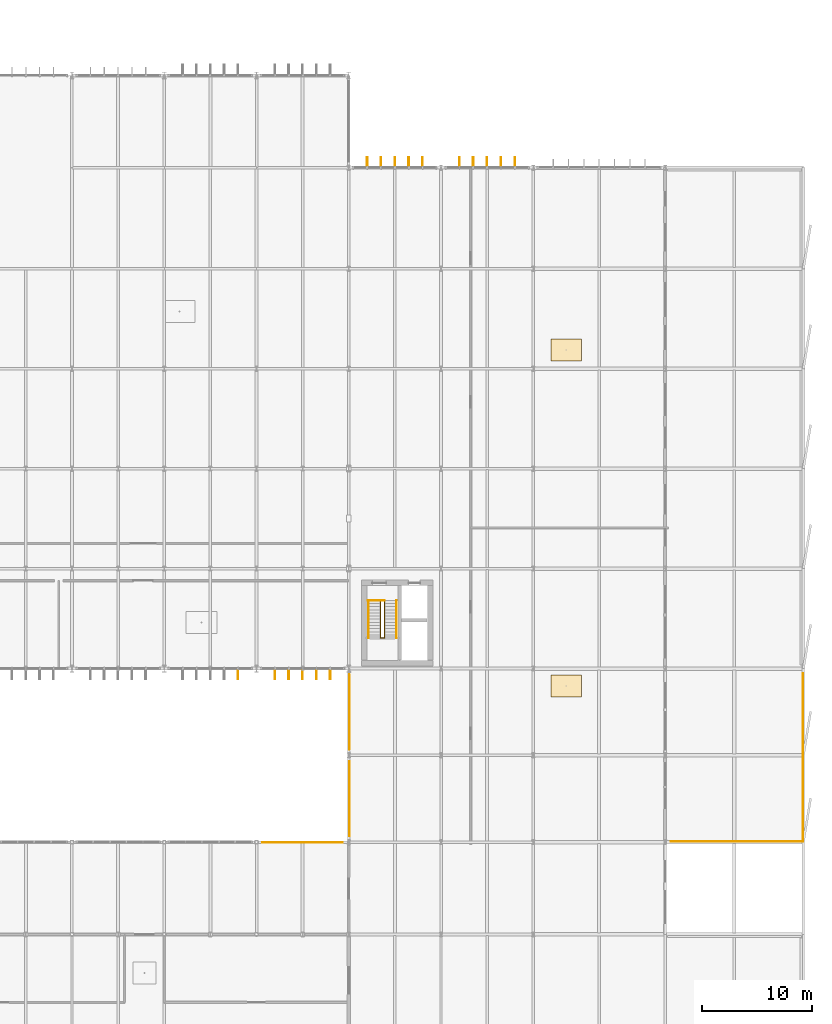
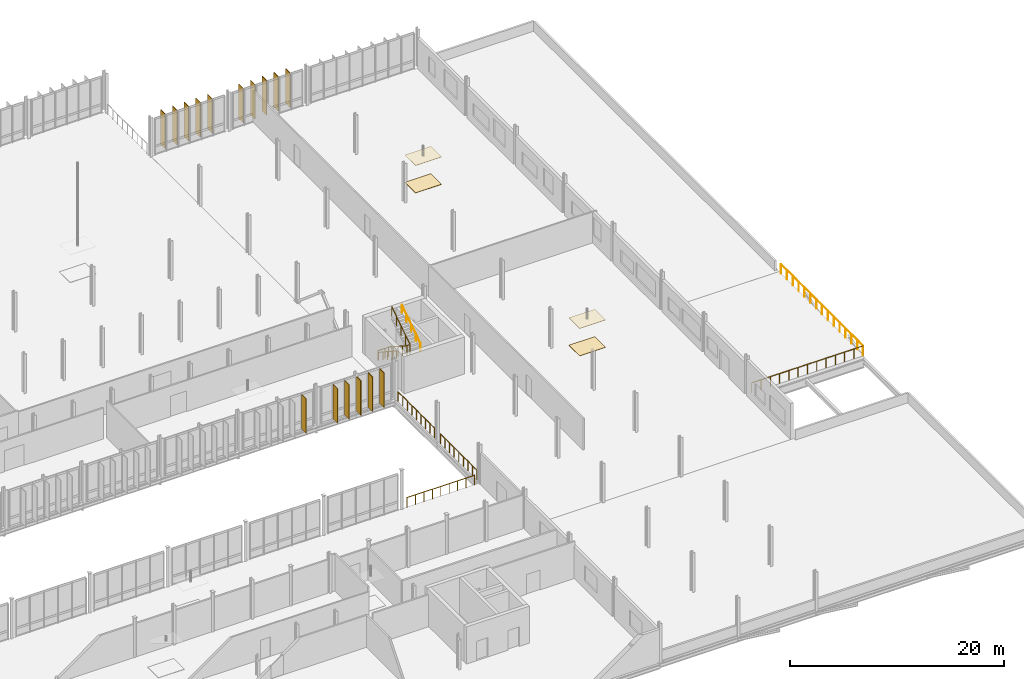
# One storey, part 138 of 139: 29 railings, 16 shading devices, 4 coverings.
"""IFC4 building model written with IfcOpenShell, lengths in metres."""

from ifc_helpers import new_model, si_unit, derived_unit, direction, frame, origin, origin_2d, place, context, subcontext, project, spatial, polyline, rectangle, circle, outline, extrude, material, layer, layer_set, type_object, element, save


model = new_model("IFC4")

# Units and contexts
model_context = context("Model", 3, precision=1e-05, world=origin(), true_north=direction((0.0, 1.0)))
body_context = subcontext(model_context, "Body", "Model", "MODEL_VIEW")
ifc_project = project(units=[si_unit("LENGTHUNIT", "METRE"), si_unit("AREAUNIT", "SQUARE_METRE"), si_unit("VOLUMEUNIT", "CUBIC_METRE"), si_unit("PLANEANGLEUNIT", "RADIAN"), si_unit("MASSUNIT", "GRAM", prefix="KILO"), derived_unit("THERMALTRANSMITTANCEUNIT", [(si_unit("MASSUNIT", "GRAM", prefix="KILO"), 1), (si_unit("TIMEUNIT", "SECOND"), -3), (si_unit("THERMODYNAMICTEMPERATUREUNIT", "KELVIN"), -1)])], contexts=[model_context])

# Site, building, storey
site_placement = place(None, origin())
site = spatial("IfcSite", under=ifc_project, at=site_placement, CompositionType="ELEMENT")
building_placement = place(site_placement, origin())
building = spatial("IfcBuilding", under=site, at=building_placement, Name="Makaiwela Harbour Ferry Terminal", CompositionType="ELEMENT")
storey_placement = place(building_placement, frame((0.0, 0.0, 5.10009765625)))
storey = spatial("IfcBuildingStorey", under=building, at=storey_placement, Name="L01", CompositionType="ELEMENT", Elevation=5.10009765625)

# Shading devices
ifc_material_1 = material(Name="Thermally modified Accoya timber and anodised aluminium", Category="wood")
ifc_layer_1 = layer(ifc_material_1, 0.06005859375)
ifc_layer_set_1 = layer_set([ifc_layer_1], Name="Thermally modified Accoya timber and anodised aluminium")
shading_device_type = type_object("IfcShadingDeviceType", Name="ENV-FIN-850", PredefinedType="USERDEFINED", material=ifc_layer_set_1)
for number, where, z_axis, x_axis, name in (
    (1, (128.52001953125, 48.862060546875, 0.161865234375), (0.0, 0.0, 1.0), (0.0, -1.0, 0.0), "Vertical Solar Fin SFN-0298"),
    (2, (136.919921875, 48.862060546875, 0.161865234375), (0.0, 0.0, 1.0), (0.0, -1.0, 0.0), "Vertical Solar Fin SFN-0313"),
    (3, (135.659912109375, 48.862060546875, 0.161865234375), (0.0, 0.0, 1.0), (0.0, -1.0, 0.0), "Vertical Solar Fin SFN-0314"),
    (4, (134.39990234375, 48.862060546875, 0.161865234375), (0.0, 0.0, 1.0), (0.0, -1.0, 0.0), "Vertical Solar Fin SFN-0315"),
    (5, (133.139892578125, 48.862060546875, 0.161865234375), (0.0, 0.0, 1.0), (0.0, -1.0, 0.0), "Vertical Solar Fin SFN-0316"),
    (6, (131.8798828125, 48.862060546875, 0.161865234375), (0.0, 0.0, 1.0), (0.0, -1.0, 0.0), "Vertical Solar Fin SFN-0317"),
    (7, (140.280029296875, 95.5380859375, 0.161865234375), (0.0, 0.0, 1.0), (0.0, 1.0, 0.0), "Vertical Solar Fin SFN-0443"),
    (8, (141.5400390625, 95.5380859375, 0.161865234375), (0.0, 0.0, 1.0), (0.0, 1.0, 0.0), "Vertical Solar Fin SFN-0444"),
    (9, (142.800048828125, 95.5380859375, 0.161865234375), (0.0, 0.0, 1.0), (0.0, 1.0, 0.0), "Vertical Solar Fin SFN-0445"),
    (10, (144.06005859375, 95.5380859375, 0.161865234375), (0.0, 0.0, 1.0), (0.0, 1.0, 0.0), "Vertical Solar Fin SFN-0446"),
    (11, (145.320068359375, 95.5380859375, 0.161865234375), (0.0, 0.0, 1.0), (0.0, 1.0, 0.0), "Vertical Solar Fin SFN-0447"),
    (12, (148.679931640625, 95.5380859375, 0.161865234375), (0.0, 0.0, 1.0), (0.0, 1.0, 0.0), "Vertical Solar Fin SFN-0463"),
    (13, (149.93994140625, 95.5380859375, 0.161865234375), (0.0, 0.0, 1.0), (0.0, 1.0, 0.0), "Vertical Solar Fin SFN-0464"),
    (14, (151.199951171875, 95.5380859375, 0.161865234375), (0.0, 0.0, 1.0), (0.0, 1.0, 0.0), "Vertical Solar Fin SFN-0465"),
    (15, (152.4599609375, 95.5380859375, 0.161865234375), (0.0, 0.0, 1.0), (0.0, 1.0, 0.0), "Vertical Solar Fin SFN-0466"),
    (16, (153.719970703125, 95.5380859375, 0.161865234375), (0.0, 0.0, 1.0), (0.0, 1.0, 0.0), "Vertical Solar Fin SFN-0467"),
):
    element("IfcShadingDevice", number, at=place(storey_placement, frame(where, z_axis=z_axis, x_axis=x_axis)), inside=storey, type_object=shading_device_type, Name=name, ObjectType="SOLAR FIN", PredefinedType="USERDEFINED", context=body_context, shape_type="SweptSolid", body=[
        extrude(rectangle(XDim=0.85009765625, YDim=0.06005859375, at=origin_2d()), origin(), (0.0, 0.0, 1.0), 3.93994140625),
    ])

# Coverings
ifc_material_2 = material(Name="Thermally modified Accoya timber acoustic slat ceiling", Category="wood")
ifc_layer_2 = layer(ifc_material_2, 0.0400390625)
ifc_layer_set_2 = layer_set([ifc_layer_2], Name="Thermally modified Accoya timber acoustic slat ceiling")
covering_type_1 = type_object("IfcCoveringType", Name="INT-COV-CEIL", PredefinedType="CEILING", material=ifc_layer_set_2)
covering_1_placement = place(storey_placement, frame((0.0, 0.0, 3.099853515625)))
element("IfcCovering", 17, at=covering_1_placement, inside=storey, type_object=covering_type_1, Name="Acoustic Timber Ceiling CLG-045", PredefinedType="CEILING", context=body_context, shape_type="SweptSolid", body=[
    extrude(outline(polyline([(157.0, 46.800048828125), (159.800048828125, 46.800048828125), (159.800048828125, 48.800048828125), (157.0, 48.800048828125), (157.0, 46.800048828125)])), origin(), (0.0, 0.0, 1.0), 0.0400390625),
])
covering_2_placement = place(storey_placement, frame((0.0, 0.0, 3.099853515625)))
element("IfcCovering", 18, at=covering_2_placement, inside=storey, type_object=covering_type_1, Name="Acoustic Timber Ceiling CLG-046", PredefinedType="CEILING", context=body_context, shape_type="SweptSolid", body=[
    extrude(outline(polyline([(157.0, 77.39990234375), (159.800048828125, 77.39990234375), (159.800048828125, 79.39990234375), (157.0, 79.39990234375), (157.0, 77.39990234375)])), origin(), (0.0, 0.0, 1.0), 0.0400390625),
])
ifc_material_3 = material(Name="Honed coral-aggregate epoxy terrazzo flooring", Category="concrete")
ifc_layer_3 = layer(ifc_material_3, 0.02490234375)
ifc_layer_set_3 = layer_set([ifc_layer_3], Name="Honed coral-aggregate epoxy terrazzo flooring")
covering_type_2 = type_object("IfcCoveringType", Name="INT-COV-FLR", PredefinedType="FLOORING", material=ifc_layer_set_3)
covering_3_placement = place(storey_placement, origin())
element("IfcCovering", 19, at=covering_3_placement, inside=storey, type_object=covering_type_2, Name="Terrazzo Flooring FLG-045", PredefinedType="FLOORING", context=body_context, shape_type="SweptSolid", body=[
    extrude(outline(polyline([(157.0, 46.800048828125), (159.800048828125, 46.800048828125), (159.800048828125, 48.800048828125), (157.0, 48.800048828125), (157.0, 46.800048828125)])), origin(), (0.0, 0.0, 1.0), 0.02490234375),
])
covering_4_placement = place(storey_placement, origin())
element("IfcCovering", 20, at=covering_4_placement, inside=storey, type_object=covering_type_2, Name="Terrazzo Flooring FLG-046", PredefinedType="FLOORING", context=body_context, shape_type="SweptSolid", body=[
    extrude(outline(polyline([(157.0, 77.39990234375), (159.800048828125, 77.39990234375), (159.800048828125, 79.39990234375), (157.0, 79.39990234375), (157.0, 77.39990234375)])), origin(), (0.0, 0.0, 1.0), 0.02490234375),
])

# Railings
ifc_material_4 = material(Name="Marine grade 316L brushed stainless steel", Category="steel")
railing_type_1 = type_object("IfcRailingType", Name="INT-RL-GRD110", PredefinedType="GUARDRAIL", material=ifc_material_4)
railing_1_placement = place(storey_placement, frame((140.3701171875, 55.60009765625, 0.0)))
element("IfcRailing", 21, at=railing_1_placement, inside=storey, type_object=railing_type_1, Name="Stair top well guardrail RL-0074", PredefinedType="GUARDRAIL", context=body_context, shape_type="SweptSolid", body=[
    extrude(circle(Radius=0.02392578125, at=origin_2d()), frame((0.0, 0.0, 1.09619140625), z_axis=(1.0, 0.0, 0.0), x_axis=(0.0, 1.0, 0.0)), (0.0, 0.0, 1.0), 1.47998046875),
    extrude(circle(Radius=0.02099609375, at=origin_2d()), origin(), (0.0, 0.0, 1.0), 1.072021484375),
    extrude(circle(Radius=0.02099609375, at=origin_2d()), frame((0.739990234375, 0.0, 0.0)), (0.0, 0.0, 1.0), 1.072021484375),
    extrude(circle(Radius=0.02099609375, at=origin_2d()), frame((1.47998046875, 0.0, 0.0)), (0.0, 0.0, 1.0), 1.072021484375),
])
railing_2_placement = place(storey_placement, frame((141.510009765625, 55.60009765625, 0.0)))
element("IfcRailing", 22, at=railing_2_placement, inside=storey, type_object=railing_type_1, Name="Stair well guardrail RL-0077", PredefinedType="GUARDRAIL", context=body_context, shape_type="SweptSolid", body=[
    extrude(circle(Radius=0.02392578125, at=origin_2d()), frame((0.0, 0.0, 1.09619140625), z_axis=(0.0, -0.835429331894, 0.549597881557), x_axis=(1.0, 0.0, 0.0)), (0.0, 0.0, 1.0), 4.093994140625),
    extrude(circle(Radius=0.02392578125, at=origin_2d()), frame((0.0, -3.420166015625, 3.34619140625), z_axis=(1.0, 0.0, 0.0), x_axis=(0.0, 1.0, 0.0)), (0.0, 0.0, 1.0), 0.340087890625),
    extrude(circle(Radius=0.02392578125, at=origin_2d()), frame((0.340087890625, -3.420166015625, 3.34619140625), z_axis=(0.0, 0.835429331894, 0.549597881557), x_axis=(-1.0, 0.0, 0.0)), (0.0, 0.0, 1.0), 4.093994140625),
    extrude(circle(Radius=0.02099609375, at=origin_2d()), origin(), (0.0, 0.0, 1.0), 1.072021484375),
    extrude(circle(Radius=0.02099609375, at=origin_2d()), frame((0.0, -0.85498046875, 0.5625)), (0.0, 0.0, 1.0), 1.072021484375),
    extrude(circle(Radius=0.02099609375, at=origin_2d()), frame((0.0, -1.7099609375, 1.125)), (0.0, 0.0, 1.0), 1.072021484375),
    extrude(circle(Radius=0.02099609375, at=origin_2d()), frame((0.0, -2.565185546875, 1.6875)), (0.0, 0.0, 1.0), 1.072021484375),
    extrude(circle(Radius=0.02099609375, at=origin_2d()), frame((0.0, -3.420166015625, 2.25)), (0.0, 0.0, 1.0), 1.072021484375),
    extrude(circle(Radius=0.02099609375, at=origin_2d()), frame((0.340087890625, -3.420166015625, 2.25)), (0.0, 0.0, 1.0), 1.072021484375),
    extrude(circle(Radius=0.02099609375, at=origin_2d()), frame((0.340087890625, -2.565185546875, 2.8125)), (0.0, 0.0, 1.0), 1.072021484375),
    extrude(circle(Radius=0.02099609375, at=origin_2d()), frame((0.340087890625, -1.7099609375, 3.375)), (0.0, 0.0, 1.0), 1.072021484375),
    extrude(circle(Radius=0.02099609375, at=origin_2d()), frame((0.340087890625, -0.85498046875, 3.9375)), (0.0, 0.0, 1.0), 1.072021484375),
    extrude(circle(Radius=0.02099609375, at=origin_2d()), frame((0.340087890625, 0.0, 4.5)), (0.0, 0.0, 1.0), 1.072021484375),
])
railing_3_placement = place(storey_placement, frame((179.955078125, 48.951904296875, 0.0)))
element("IfcRailing", 23, at=railing_3_placement, inside=storey, type_object=railing_type_1, Name="Deck edge guardrail RL-0325", PredefinedType="GUARDRAIL", context=body_context, shape_type="SweptSolid", body=[
    extrude(circle(Radius=0.02392578125, at=origin_2d()), frame((0.0, 0.0, 1.09619140625), z_axis=(0.0, -1.0, 0.0), x_axis=(1.0, 0.0, 0.0)), (0.0, 0.0, 1.0), 2.1865234375),
    extrude(circle(Radius=0.02099609375, at=origin_2d()), origin(), (0.0, 0.0, 1.0), 1.072021484375),
    extrude(circle(Radius=0.02099609375, at=origin_2d()), frame((0.0, -1.09326171875, 0.0)), (0.0, 0.0, 1.0), 1.072021484375),
    extrude(circle(Radius=0.02099609375, at=origin_2d()), frame((0.0, -2.1865234375, 0.0)), (0.0, 0.0, 1.0), 1.072021484375),
])
for number, where, name in (
    (24, (179.955078125, 46.765380859375, 0.0), "Deck edge guardrail RL-0326"),
    (25, (179.955078125, 44.57861328125, 0.0), "Deck edge guardrail RL-0327"),
    (26, (179.955078125, 42.391845703125, 0.0), "Deck edge guardrail RL-0328"),
    (27, (179.955078125, 40.205078125, 0.0), "Deck edge guardrail RL-0329"),
):
    element("IfcRailing", number, at=place(storey_placement, frame(where)), inside=storey, type_object=railing_type_1, Name=name, PredefinedType="GUARDRAIL", context=body_context, shape_type="SweptSolid", body=[
        extrude(circle(Radius=0.02392578125, at=origin_2d()), frame((0.0, 0.0, 1.09619140625), z_axis=(0.0, -1.0, 0.0), x_axis=(1.0, 0.0, 0.0)), (0.0, 0.0, 1.0), 2.186767578125),
        extrude(circle(Radius=0.02099609375, at=origin_2d()), origin(), (0.0, 0.0, 1.0), 1.072021484375),
        extrude(circle(Radius=0.02099609375, at=origin_2d()), frame((0.0, -1.09326171875, 0.0)), (0.0, 0.0, 1.0), 1.072021484375),
        extrude(circle(Radius=0.02099609375, at=origin_2d()), frame((0.0, -2.186767578125, 0.0)), (0.0, 0.0, 1.0), 1.072021484375),
    ])
railing_4_placement = place(storey_placement, frame((179.955078125, 38.018310546875, 0.0)))
element("IfcRailing", 28, at=railing_4_placement, inside=storey, type_object=railing_type_1, Name="Deck edge guardrail RL-0330", PredefinedType="GUARDRAIL", context=body_context, shape_type="SweptSolid", body=[
    extrude(circle(Radius=0.02392578125, at=origin_2d()), frame((0.0, 0.0, 1.09619140625), z_axis=(0.0, -1.0, 0.0), x_axis=(1.0, 0.0, 0.0)), (0.0, 0.0, 1.0), 2.1865234375),
    extrude(circle(Radius=0.02099609375, at=origin_2d()), origin(), (0.0, 0.0, 1.0), 1.072021484375),
    extrude(circle(Radius=0.02099609375, at=origin_2d()), frame((0.0, -1.09326171875, 0.0)), (0.0, 0.0, 1.0), 1.072021484375),
    extrude(circle(Radius=0.02099609375, at=origin_2d()), frame((0.0, -2.1865234375, 0.0)), (0.0, 0.0, 1.0), 1.072021484375),
])
railing_5_placement = place(storey_placement, frame((179.955078125, 35.831787109375, 0.0)))
element("IfcRailing", 29, at=railing_5_placement, inside=storey, type_object=railing_type_1, Name="Deck edge guardrail RL-0331", PredefinedType="GUARDRAIL", context=body_context, shape_type="SweptSolid", body=[
    extrude(circle(Radius=0.02392578125, at=origin_2d()), frame((0.0, 0.0, 1.09619140625), z_axis=(0.0, -1.0, 0.0), x_axis=(1.0, 0.0, 0.0)), (0.0, 0.0, 1.0), 2.186767578125),
    extrude(circle(Radius=0.02099609375, at=origin_2d()), origin(), (0.0, 0.0, 1.0), 1.072021484375),
    extrude(circle(Radius=0.02099609375, at=origin_2d()), frame((0.0, -1.09326171875, 0.0)), (0.0, 0.0, 1.0), 1.072021484375),
    extrude(circle(Radius=0.02099609375, at=origin_2d()), frame((0.0, -2.186767578125, 0.0)), (0.0, 0.0, 1.0), 1.072021484375),
])
for number, where, name in (
    (30, (179.955078125, 33.64501953125, 0.0), "Deck edge guardrail RL-0332"),
    (31, (177.953857421875, 33.64501953125, 0.0), "Deck edge guardrail RL-0333"),
    (32, (175.95263671875, 33.64501953125, 0.0), "Deck edge guardrail RL-0334"),
    (33, (173.951416015625, 33.64501953125, 0.0), "Deck edge guardrail RL-0335"),
    (34, (171.9501953125, 33.64501953125, 0.0), "Deck edge guardrail RL-0336"),
    (35, (169.948974609375, 33.64501953125, 0.0), "Deck edge guardrail RL-0337"),
):
    element("IfcRailing", number, at=place(storey_placement, frame(where)), inside=storey, type_object=railing_type_1, Name=name, PredefinedType="GUARDRAIL", context=body_context, shape_type="SweptSolid", body=[
        extrude(circle(Radius=0.02392578125, at=origin_2d()), frame((0.0, 0.0, 1.09619140625), z_axis=(-1.0, 0.0, 0.0), x_axis=(0.0, -1.0, 0.0)), (0.0, 0.0, 1.0), 2.001220703125),
        extrude(circle(Radius=0.02099609375, at=origin_2d()), origin(), (0.0, 0.0, 1.0), 1.072021484375),
        extrude(circle(Radius=0.02099609375, at=origin_2d()), frame((-1.00048828125, 0.0, 0.0)), (0.0, 0.0, 1.0), 1.072021484375),
        extrude(circle(Radius=0.02099609375, at=origin_2d()), frame((-2.001220703125, 0.0, 0.0)), (0.0, 0.0, 1.0), 1.072021484375),
    ])
railing_6_placement = place(storey_placement, frame((130.747802734375, 33.554931640625, 0.0)))
element("IfcRailing", 36, at=railing_6_placement, inside=storey, type_object=railing_type_1, Name="Deck edge guardrail RL-0386", PredefinedType="GUARDRAIL", context=body_context, shape_type="SweptSolid", body=[
    extrude(circle(Radius=0.02392578125, at=origin_2d()), frame((0.0, 0.0, 1.09619140625), z_axis=(1.0, 0.0, 0.0), x_axis=(0.0, 1.0, 0.0)), (0.0, 0.0, 1.0), 1.826171875),
    extrude(circle(Radius=0.02099609375, at=origin_2d()), origin(), (0.0, 0.0, 1.0), 1.072021484375),
    extrude(circle(Radius=0.02099609375, at=origin_2d()), frame((0.9130859375, 0.0, 0.0)), (0.0, 0.0, 1.0), 1.072021484375),
    extrude(circle(Radius=0.02099609375, at=origin_2d()), frame((1.826171875, 0.0, 0.0)), (0.0, 0.0, 1.0), 1.072021484375),
])
railing_7_placement = place(storey_placement, frame((132.573974609375, 33.554931640625, 0.0)))
element("IfcRailing", 37, at=railing_7_placement, inside=storey, type_object=railing_type_1, Name="Deck edge guardrail RL-0387", PredefinedType="GUARDRAIL", context=body_context, shape_type="SweptSolid", body=[
    extrude(circle(Radius=0.02392578125, at=origin_2d()), frame((0.0, 0.0, 1.09619140625), z_axis=(1.0, 0.0, 0.0), x_axis=(0.0, 1.0, 0.0)), (0.0, 0.0, 1.0), 1.825927734375),
    extrude(circle(Radius=0.02099609375, at=origin_2d()), origin(), (0.0, 0.0, 1.0), 1.072021484375),
    extrude(circle(Radius=0.02099609375, at=origin_2d()), frame((0.9130859375, 0.0, 0.0)), (0.0, 0.0, 1.0), 1.072021484375),
    extrude(circle(Radius=0.02099609375, at=origin_2d()), frame((1.825927734375, 0.0, 0.0)), (0.0, 0.0, 1.0), 1.072021484375),
])
for number, where, name in (
    (38, (134.39990234375, 33.554931640625, 0.0), "Deck edge guardrail RL-0388"),
    (39, (136.22607421875, 33.554931640625, 0.0), "Deck edge guardrail RL-0389"),
):
    element("IfcRailing", number, at=place(storey_placement, frame(where)), inside=storey, type_object=railing_type_1, Name=name, PredefinedType="GUARDRAIL", context=body_context, shape_type="SweptSolid", body=[
        extrude(circle(Radius=0.02392578125, at=origin_2d()), frame((0.0, 0.0, 1.09619140625), z_axis=(1.0, 0.0, 0.0), x_axis=(0.0, 1.0, 0.0)), (0.0, 0.0, 1.0), 1.826171875),
        extrude(circle(Radius=0.02099609375, at=origin_2d()), origin(), (0.0, 0.0, 1.0), 1.072021484375),
        extrude(circle(Radius=0.02099609375, at=origin_2d()), frame((0.9130859375, 0.0, 0.0)), (0.0, 0.0, 1.0), 1.072021484375),
        extrude(circle(Radius=0.02099609375, at=origin_2d()), frame((1.826171875, 0.0, 0.0)), (0.0, 0.0, 1.0), 1.072021484375),
    ])
railing_8_placement = place(storey_placement, frame((138.646240234375, 34.147705078125, 0.0)))
element("IfcRailing", 40, at=railing_8_placement, inside=storey, type_object=railing_type_1, Name="Deck edge guardrail RL-0390", PredefinedType="GUARDRAIL", context=body_context, shape_type="SweptSolid", body=[
    extrude(circle(Radius=0.02392578125, at=origin_2d()), frame((0.0, 0.0, 1.09619140625), z_axis=(-0.000143513202, 0.999999989702, 0.0), x_axis=(-0.999999989702, -0.000143513202, 0.0)), (0.0, 0.0, 1.0), 1.701171875),
    extrude(circle(Radius=0.02099609375, at=origin_2d()), origin(), (0.0, 0.0, 1.0), 1.072021484375),
    extrude(circle(Radius=0.02099609375, at=origin_2d()), frame((0.0, 0.8505859375, 0.0)), (0.0, 0.0, 1.0), 1.072021484375),
    extrude(circle(Radius=0.02099609375, at=origin_2d()), frame((-0.000244140625, 1.701171875, 0.0)), (0.0, 0.0, 1.0), 1.072021484375),
])
railing_9_placement = place(storey_placement, frame((138.64599609375, 35.848876953125, 0.0)))
element("IfcRailing", 41, at=railing_9_placement, inside=storey, type_object=railing_type_1, Name="Deck edge guardrail RL-0391", PredefinedType="GUARDRAIL", context=body_context, shape_type="SweptSolid", body=[
    extrude(circle(Radius=0.02392578125, at=origin_2d()), frame((0.0, 0.0, 1.09619140625), z_axis=(0.0, 1.0, 0.0), x_axis=(-1.0, 0.0, 0.0)), (0.0, 0.0, 1.0), 1.701171875),
    extrude(circle(Radius=0.02099609375, at=origin_2d()), origin(), (0.0, 0.0, 1.0), 1.072021484375),
    extrude(circle(Radius=0.02099609375, at=origin_2d()), frame((0.0, 0.8505859375, 0.0)), (0.0, 0.0, 1.0), 1.072021484375),
    extrude(circle(Radius=0.02099609375, at=origin_2d()), frame((0.0, 1.701171875, 0.0)), (0.0, 0.0, 1.0), 1.072021484375),
])
railing_10_placement = place(storey_placement, frame((138.64599609375, 37.550048828125, 0.0)))
element("IfcRailing", 42, at=railing_10_placement, inside=storey, type_object=railing_type_1, Name="Deck edge guardrail RL-0392", PredefinedType="GUARDRAIL", context=body_context, shape_type="SweptSolid", body=[
    extrude(circle(Radius=0.02392578125, at=origin_2d()), frame((0.0, 0.0, 1.09619140625), z_axis=(-0.000143513202, 0.999999989702, 0.0), x_axis=(-0.999999989702, -0.000143513202, 0.0)), (0.0, 0.0, 1.0), 1.701171875),
    extrude(circle(Radius=0.02099609375, at=origin_2d()), origin(), (0.0, 0.0, 1.0), 1.072021484375),
    extrude(circle(Radius=0.02099609375, at=origin_2d()), frame((0.0, 0.8505859375, 0.0)), (0.0, 0.0, 1.0), 1.072021484375),
    extrude(circle(Radius=0.02099609375, at=origin_2d()), frame((-0.000244140625, 1.701171875, 0.0)), (0.0, 0.0, 1.0), 1.072021484375),
])
for number, where, name in (
    (43, (138.645751953125, 39.251220703125, 0.0), "Deck edge guardrail RL-0393"),
    (44, (138.6455078125, 42.0478515625, 0.0), "Deck edge guardrail RL-0394"),
):
    element("IfcRailing", number, at=place(storey_placement, frame(where)), inside=storey, type_object=railing_type_1, Name=name, PredefinedType="GUARDRAIL", context=body_context, shape_type="SweptSolid", body=[
        extrude(circle(Radius=0.02392578125, at=origin_2d()), frame((0.0, 0.0, 1.09619140625), z_axis=(0.0, 1.0, 0.0), x_axis=(-1.0, 0.0, 0.0)), (0.0, 0.0, 1.0), 1.700927734375),
        extrude(circle(Radius=0.02099609375, at=origin_2d()), origin(), (0.0, 0.0, 1.0), 1.072021484375),
        extrude(circle(Radius=0.02099609375, at=origin_2d()), frame((0.0, 0.8505859375, 0.0)), (0.0, 0.0, 1.0), 1.072021484375),
        extrude(circle(Radius=0.02099609375, at=origin_2d()), frame((0.0, 1.700927734375, 0.0)), (0.0, 0.0, 1.0), 1.072021484375),
    ])
railing_11_placement = place(storey_placement, frame((138.6455078125, 43.748779296875, 0.0)))
element("IfcRailing", 45, at=railing_11_placement, inside=storey, type_object=railing_type_1, Name="Deck edge guardrail RL-0395", PredefinedType="GUARDRAIL", context=body_context, shape_type="SweptSolid", body=[
    extrude(circle(Radius=0.02392578125, at=origin_2d()), frame((0.0, 0.0, 1.09619140625), z_axis=(-0.000143513202, 0.999999989702, 0.0), x_axis=(-0.999999989702, -0.000143513202, 0.0)), (0.0, 0.0, 1.0), 1.701171875),
    extrude(circle(Radius=0.02099609375, at=origin_2d()), origin(), (0.0, 0.0, 1.0), 1.072021484375),
    extrude(circle(Radius=0.02099609375, at=origin_2d()), frame((0.0, 0.8505859375, 0.0)), (0.0, 0.0, 1.0), 1.072021484375),
    extrude(circle(Radius=0.02099609375, at=origin_2d()), frame((-0.000244140625, 1.701171875, 0.0)), (0.0, 0.0, 1.0), 1.072021484375),
])
railing_12_placement = place(storey_placement, frame((138.645263671875, 45.449951171875, 0.0)))
element("IfcRailing", 46, at=railing_12_placement, inside=storey, type_object=railing_type_1, Name="Deck edge guardrail RL-0396", PredefinedType="GUARDRAIL", context=body_context, shape_type="SweptSolid", body=[
    extrude(circle(Radius=0.02392578125, at=origin_2d()), frame((0.0, 0.0, 1.09619140625), z_axis=(0.0, 1.0, 0.0), x_axis=(-1.0, 0.0, 0.0)), (0.0, 0.0, 1.0), 1.701171875),
    extrude(circle(Radius=0.02099609375, at=origin_2d()), origin(), (0.0, 0.0, 1.0), 1.072021484375),
    extrude(circle(Radius=0.02099609375, at=origin_2d()), frame((0.0, 0.8505859375, 0.0)), (0.0, 0.0, 1.0), 1.072021484375),
    extrude(circle(Radius=0.02099609375, at=origin_2d()), frame((0.0, 1.701171875, 0.0)), (0.0, 0.0, 1.0), 1.072021484375),
])
railing_13_placement = place(storey_placement, frame((138.645263671875, 47.151123046875, 0.0)))
element("IfcRailing", 47, at=railing_13_placement, inside=storey, type_object=railing_type_1, Name="Deck edge guardrail RL-0397", PredefinedType="GUARDRAIL", context=body_context, shape_type="SweptSolid", body=[
    extrude(circle(Radius=0.02392578125, at=origin_2d()), frame((0.0, 0.0, 1.09619140625), z_axis=(-0.000143513202, 0.999999989702, 0.0), x_axis=(-0.999999989702, -0.000143513202, 0.0)), (0.0, 0.0, 1.0), 1.701171875),
    extrude(circle(Radius=0.02099609375, at=origin_2d()), origin(), (0.0, 0.0, 1.0), 1.072021484375),
    extrude(circle(Radius=0.02099609375, at=origin_2d()), frame((0.0, 0.8505859375, 0.0)), (0.0, 0.0, 1.0), 1.072021484375),
    extrude(circle(Radius=0.02099609375, at=origin_2d()), frame((-0.000244140625, 1.701171875, 0.0)), (0.0, 0.0, 1.0), 1.072021484375),
])
railing_type_2 = type_object("IfcRailingType", Name="INT-RL-HND090", PredefinedType="HANDRAIL", material=ifc_material_4)
railing_14_placement = place(storey_placement, frame((140.39990234375, 55.60009765625, 0.0)))
element("IfcRailing", 48, at=railing_14_placement, inside=storey, type_object=railing_type_2, Name="Stair wall handrail RL-0079", PredefinedType="HANDRAIL", context=body_context, shape_type="SweptSolid", body=[
    extrude(circle(Radius=0.02392578125, at=origin_2d()), frame((0.0, 0.0, 0.89111328125), z_axis=(0.0, -0.835429331894, 0.549597881557), x_axis=(1.0, 0.0, 0.0)), (0.0, 0.0, 1.0), 4.093994140625),
    extrude(circle(Radius=0.02099609375, at=origin_2d()), origin(), (0.0, 0.0, 1.0), 0.866943359375),
    extrude(circle(Radius=0.02099609375, at=origin_2d()), frame((0.0, -0.85498046875, 0.5625)), (0.0, 0.0, 1.0), 0.866943359375),
    extrude(circle(Radius=0.02099609375, at=origin_2d()), frame((0.0, -1.7099609375, 1.125)), (0.0, 0.0, 1.0), 0.866943359375),
    extrude(circle(Radius=0.02099609375, at=origin_2d()), frame((0.0, -2.565185546875, 1.6875)), (0.0, 0.0, 1.0), 0.866943359375),
    extrude(circle(Radius=0.02099609375, at=origin_2d()), frame((0.0, -3.420166015625, 2.25)), (0.0, 0.0, 1.0), 0.866943359375),
])
railing_15_placement = place(storey_placement, frame((142.9599609375, 52.179931640625, 2.25)))
element("IfcRailing", 49, at=railing_15_placement, inside=storey, type_object=railing_type_2, Name="Stair upper handrail RL-0080", PredefinedType="HANDRAIL", context=body_context, shape_type="SweptSolid", body=[
    extrude(circle(Radius=0.02392578125, at=origin_2d()), frame((0.0, 0.0, 0.89111328125), z_axis=(0.0, 0.835429331894, 0.549597881557), x_axis=(-1.0, 0.0, 0.0)), (0.0, 0.0, 1.0), 4.093994140625),
    extrude(circle(Radius=0.02099609375, at=origin_2d()), origin(), (0.0, 0.0, 1.0), 0.866943359375),
    extrude(circle(Radius=0.02099609375, at=origin_2d()), frame((0.0, 0.85498046875, 0.5625)), (0.0, 0.0, 1.0), 0.866943359375),
    extrude(circle(Radius=0.02099609375, at=origin_2d()), frame((0.0, 1.7099609375, 1.125)), (0.0, 0.0, 1.0), 0.866943359375),
    extrude(circle(Radius=0.02099609375, at=origin_2d()), frame((0.0, 2.565185546875, 1.6875)), (0.0, 0.0, 1.0), 0.866943359375),
    extrude(circle(Radius=0.02099609375, at=origin_2d()), frame((0.0, 3.420166015625, 2.25)), (0.0, 0.0, 1.0), 0.866943359375),
])

save(model, "model.ifc")
